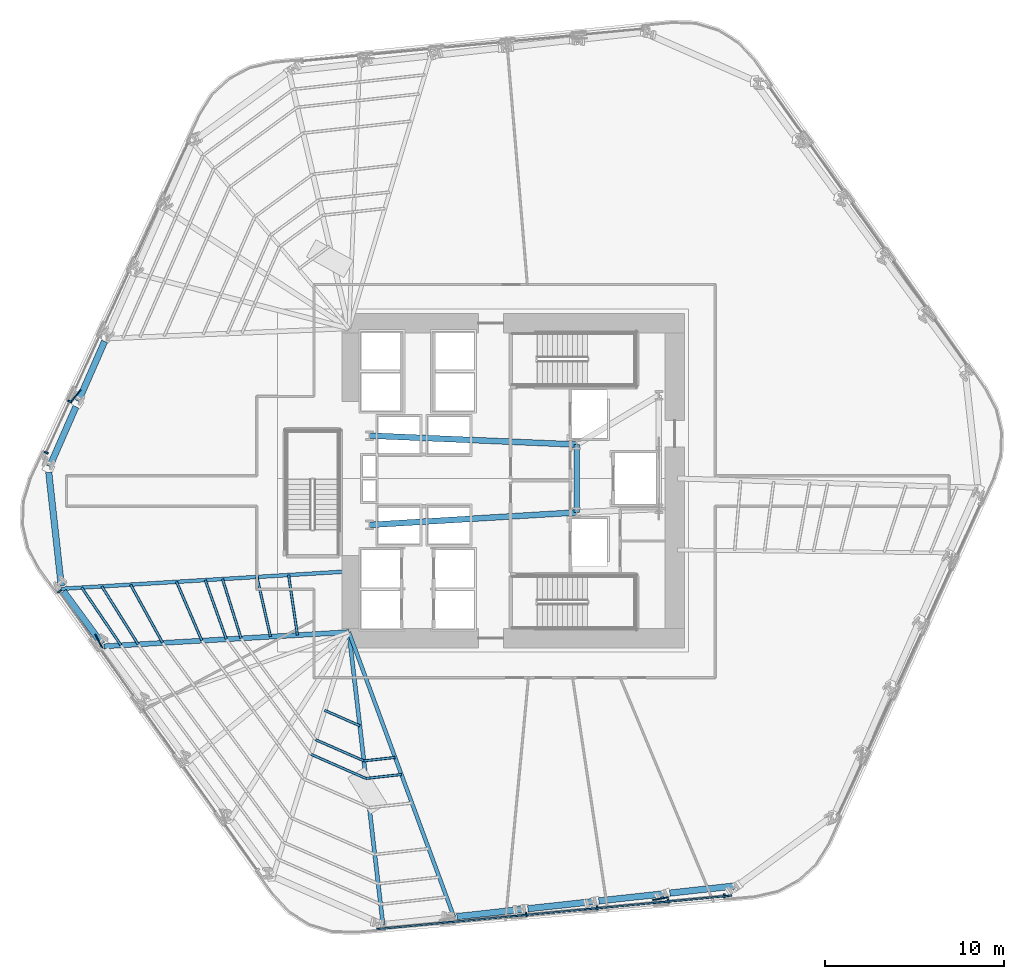
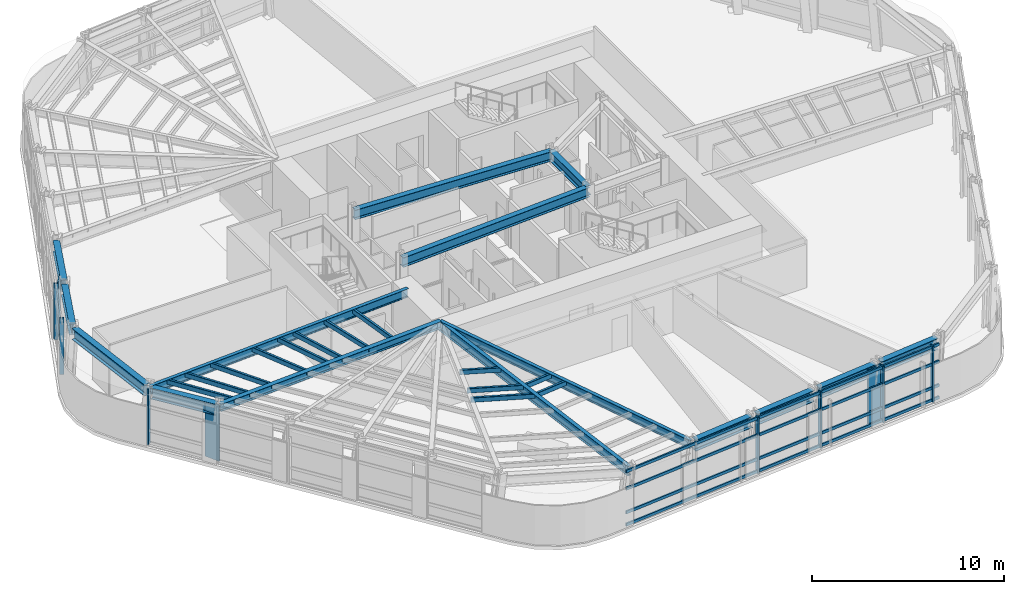
# One storey, part 3 of 16: 27 members, 15 beams, 3 elements without a shape of their own.
"""IFC4 building model written with IfcOpenShell, lengths in metres."""

import ifcopenshell
import ifcopenshell.guid

model = None  # the IFC model being written
_history = None  # IfcOwnerHistory: only IFC2X3 demands one
_inside = {}  # id of a spatial element -> (the spatial element, [elements in it])
_under = {}  # id of a project, library or spatial element -> (it, [spatial elements below it])
_declared = {}  # id of a project -> (the project, [libraries it declares])
_typed = {}  # id of a type object -> (the type object, [elements of that type])
_made_of = {}  # id of a material, layer set ... -> (it, [elements and type objects made of it])


def new_model(schema):
    """Start an empty IFC model of exactly this schema.

    Asked for "IFC4X3", IfcOpenShell would pick the latest addendum, in which some entities
    have other attributes; the version numbers below select the first issue.
    IFC2X3 requires an IfcOwnerHistory on every rooted entity: one is made here for all.
    """
    global model, _history
    if schema == "IFC4X3":
        model = ifcopenshell.file(schema_version=(4, 3, 0, 0))
    else:
        model = ifcopenshell.file(schema=schema)
    _inside.clear()
    _under.clear()
    _declared.clear()
    _typed.clear()
    _made_of.clear()
    _history = None
    if model.schema == "IFC2X3":
        org = make("IfcOrganization", Name="unknown")
        user = make(
            "IfcPersonAndOrganization",
            ThePerson=make("IfcPerson", FamilyName="unknown"),
            TheOrganization=org,
        )
        app = make(
            "IfcApplication",
            ApplicationDeveloper=org,
            Version="unknown",
            ApplicationFullName="unknown",
            ApplicationIdentifier="unknown",
        )
        _history = make(
            "IfcOwnerHistory",
            OwningUser=user,
            OwningApplication=app,
            ChangeAction="ADDED",
            CreationDate=0,
        )
    return model


def make(cls, **values):
    """One entity of the class cls with the attributes given. An attribute that is None is left unset."""
    return model.create_entity(
        cls, **{name: value for name, value in values.items() if value is not None}
    )


def rooted(cls, **values):
    """An entity with a GlobalId (a new one), such as an element, a storey or a relation."""
    return make(cls, GlobalId=ifcopenshell.guid.new(), OwnerHistory=_history, **values)


def si_unit(unit_type, name, prefix=None):
    """IfcSIUnit, for example si_unit("LENGTHUNIT", "METRE", prefix="MILLI")."""
    return make("IfcSIUnit", UnitType=unit_type, Prefix=prefix, Name=name)


def assignment(units):
    """IfcUnitAssignment: the units of a project."""
    return None if units is None else make("IfcUnitAssignment", Units=units)


def point(xyz):
    """IfcCartesianPoint."""
    return None if xyz is None else make("IfcCartesianPoint", Coordinates=xyz)


def direction(xyz):
    """IfcDirection."""
    return None if xyz is None else make("IfcDirection", DirectionRatios=xyz)


def frame(location, z_axis=None, x_axis=None):
    """IfcAxis2Placement3D, a coordinate frame: its origin and axes. An axis left out is left unset."""
    return make(
        "IfcAxis2Placement3D",
        Location=point(location),
        Axis=direction(z_axis),
        RefDirection=direction(x_axis),
    )


def frame_2d(location, x_axis=None):
    """IfcAxis2Placement2D, a coordinate frame in the plane: its origin and x axis."""
    return make(
        "IfcAxis2Placement2D", Location=point(location), RefDirection=direction(x_axis)
    )


def origin():
    """The frame at (0, 0, 0) with its axes left unset."""
    return frame((0.0, 0.0, 0.0))


def origin_2d():
    """The frame at (0, 0) in the plane with its x axis left unset."""
    return frame_2d((0.0, 0.0))


def place(relative_to, where):
    """IfcLocalPlacement: puts the frame where relative to a parent placement (None: the world)."""
    return make(
        "IfcLocalPlacement", PlacementRelTo=relative_to, RelativePlacement=where
    )


def context(
    kind, dimensions, precision=None, world=None, true_north=None, identifier=None
):
    """IfcGeometricRepresentationContext, for example the 3D "Model" context."""
    return make(
        "IfcGeometricRepresentationContext",
        ContextIdentifier=identifier,
        ContextType=kind,
        CoordinateSpaceDimension=dimensions,
        Precision=precision,
        WorldCoordinateSystem=world,
        TrueNorth=true_north,
    )


def subcontext(parent, identifier, kind, view, scale=None):
    """IfcGeometricRepresentationSubContext, for example "Body" below "Model"."""
    return make(
        "IfcGeometricRepresentationSubContext",
        ContextIdentifier=identifier,
        ContextType=kind,
        ParentContext=parent,
        TargetScale=scale,
        TargetView=view,
    )


def project(units=None, contexts=None):
    """IfcProject with its units and contexts."""
    return rooted(
        "IfcProject",
        Name="project",
        RepresentationContexts=contexts,
        UnitsInContext=assignment(units),
    )


def spatial(cls, under=None, at=None, **own):
    """A site, building, storey or space (cls), placed at a placement, below another one or the project."""
    s = rooted(cls, ObjectPlacement=at, **own)
    if under is not None:
        _under.setdefault(under.id(), (under, []))[1].append(s)
    return s


def profile(cls, at=None, kind="AREA", **sizes):
    """A parametric profile (cls). Its sizes go by their IFC names, for example OverallWidth=200.0."""
    return make(cls, ProfileType=kind, Position=at, **sizes)


def rectangle(**sizes):
    """IfcRectangleProfileDef."""
    return profile("IfcRectangleProfileDef", **sizes)


def hollow_rectangle(**sizes):
    """IfcRectangleHollowProfileDef."""
    return profile("IfcRectangleHollowProfileDef", **sizes)


def i_section(**sizes):
    """IfcIShapeProfileDef."""
    return profile("IfcIShapeProfileDef", **sizes)


def extrude(swept, where, along, depth):
    """IfcExtrudedAreaSolid: the profile swept, set in the frame where, extruded along a direction by depth."""
    return make(
        "IfcExtrudedAreaSolid",
        SweptArea=swept,
        Position=where,
        ExtrudedDirection=direction(along),
        Depth=depth,
    )


def shape(context_of_items, identifier, shape_type, items):
    """IfcShapeRepresentation: the items that make up one representation, for example the "Body"."""
    return make(
        "IfcShapeRepresentation",
        ContextOfItems=context_of_items,
        RepresentationIdentifier=identifier,
        RepresentationType=shape_type,
        Items=items,
    )


def material(Name=None, Category=None):
    """IfcMaterial."""
    return make("IfcMaterial", Name=Name, Category=Category)


def layer(
    of_material, thickness, ventilated=None, Name=None, Category=None, Priority=None
):
    """IfcMaterialLayer: one layer of a wall or slab, of a material (None: an air gap)."""
    return make(
        "IfcMaterialLayer",
        Material=of_material,
        LayerThickness=thickness,
        IsVentilated=ventilated,
        Name=Name,
        Category=Category,
        Priority=Priority,
    )


def layer_set(layers, Name=None):
    """IfcMaterialLayerSet."""
    return make("IfcMaterialLayerSet", MaterialLayers=layers, LayerSetName=Name)


def material_profile(
    of_material, cross_section, Name=None, Category=None, Priority=None
):
    """IfcMaterialProfile: a cross section and its material."""
    return make(
        "IfcMaterialProfile",
        Name=Name,
        Material=of_material,
        Profile=cross_section,
        Priority=Priority,
        Category=Category,
    )


def profile_set(profiles, Name=None, composite=None):
    """IfcMaterialProfileSet."""
    return make(
        "IfcMaterialProfileSet",
        Name=Name,
        MaterialProfiles=profiles,
        CompositeProfile=composite,
    )


def made_of(thing, what):
    """Note that an element or type object is made of a material, layer set ...; save() writes the relation."""
    if what is not None:
        _made_of.setdefault(what.id(), (what, []))[1].append(thing)
    return thing


def type_object(cls, material=None, **own):
    """A type object (cls), such as IfcWallType, which elements share."""
    return made_of(rooted(cls, **own), material)


def element(
    cls,
    number,
    at=None,
    inside=None,
    cuts=None,
    type_object=None,
    material=None,
    context=None,
    identifier="Body",
    shape_type=None,
    held_by="IfcProductDefinitionShape",
    body=None,
    shapes=None,
    **own,
):
    """One element of the class cls, such as IfcWall. Its Tag is "e" and its number.

    at: its placement. inside: the storey or other place that contains it. cuts: it is an
    opening in that element (IfcRelVoidsElement). A single representation is given by context,
    identifier, shape_type and body (its items); several are given by shapes. held_by: the class
    of the entity that holds the representations. save() writes the other relations.
    """
    e = rooted(cls, Tag="e%d" % number, ObjectPlacement=at, **own)
    if body is not None:
        shapes = [shape(context, identifier, shape_type, body)]
    if shapes is not None:
        e.Representation = make(held_by, Representations=shapes)
    if inside is not None:
        _inside.setdefault(inside.id(), (inside, []))[1].append(e)
    if cuts is not None:
        rooted(
            "IfcRelVoidsElement", RelatingBuildingElement=cuts, RelatedOpeningElement=e
        )
    if type_object is not None:
        _typed.setdefault(type_object.id(), (type_object, []))[1].append(e)
    return made_of(e, material)


def aggregate(whole, parts):
    """IfcRelAggregates: a whole, such as a stair, and the parts it consists of."""
    return rooted("IfcRelAggregates", RelatingObject=whole, RelatedObjects=parts)


def save(model, path):
    """Write the relations noted so far, then the file.

    IfcRelAggregates (storeys below a building ...), IfcRelContainedInSpatialStructure (elements
    in a storey), IfcRelDefinesByType, IfcRelAssociatesMaterial and IfcRelDeclares: one each for
    every whole, place, type object, material and project.
    """
    for whole, parts in _under.values():
        aggregate(whole, parts)
    for where, things in _inside.values():
        rooted(
            "IfcRelContainedInSpatialStructure",
            RelatedElements=things,
            RelatingStructure=where,
        )
    for kind, things in _typed.values():
        rooted("IfcRelDefinesByType", RelatedObjects=things, RelatingType=kind)
    for what, things in _made_of.values():
        rooted("IfcRelAssociatesMaterial", RelatedObjects=things, RelatingMaterial=what)
    for by, libraries in _declared.values():
        rooted("IfcRelDeclares", RelatingContext=by, RelatedDefinitions=libraries)
    model.write(path)


model = new_model("IFC4")

# Units and contexts
model_context = context("Model", 3, precision=1e-05, world=origin(), true_north=direction((0.0, 1.0)))
body_context = subcontext(model_context, "Body", "Model", "MODEL_VIEW")
ifc_project = project(units=[si_unit("LENGTHUNIT", "METRE"), si_unit("AREAUNIT", "SQUARE_METRE"), si_unit("VOLUMEUNIT", "CUBIC_METRE"), si_unit("PLANEANGLEUNIT", "RADIAN"), si_unit("MASSUNIT", "GRAM", prefix="KILO")], contexts=[model_context])

# Site, building, storey
site_placement = place(None, origin())
site = spatial("IfcSite", under=ifc_project, at=site_placement, CompositionType="ELEMENT")
building_placement = place(site_placement, origin())
building = spatial("IfcBuilding", under=site, at=building_placement, Name="Valkerne Bourse Tower", CompositionType="ELEMENT")
storey_placement = place(building_placement, frame((0.0, 0.0, 46.800048828125)))
storey = spatial("IfcBuildingStorey", under=building, at=storey_placement, Name="L11", CompositionType="ELEMENT", Elevation=46.800048828125)

# Beams
ifc_material_1 = material(Name="Steel ASTM A992", Category="steel")
ifc_material_profile_1 = material_profile(ifc_material_1, i_section(OverallWidth=0.279296875, OverallDepth=0.46240234375, WebThickness=0.0107421875, FlangeThickness=0.017333984375, FilletRadius=0.017822265625, at=origin_2d()), Name="W18X76")
ifc_profile_set_1 = profile_set([ifc_material_profile_1], Name="Steel ASTM A992")
beam_type_1 = type_object("IfcBeamType", Name="BM-W18X76", PredefinedType="BEAM", material=ifc_profile_set_1)
beam_1_placement = place(storey_placement, frame((23.88330078125, 17.603515625, 3.348876953125), z_axis=(0.998318811791, 0.057961625446, 0.0), x_axis=(-0.057961625446, 0.998318811791, 0.0)))
element("IfcBeam", 1, at=beam_1_placement, inside=storey, type_object=beam_type_1, Name="L11 Radial Composite Floor Beam 19", PredefinedType="BEAM", context=body_context, shape_type="SweptSolid", body=[
    extrude(i_section(OverallWidth=0.279296875, OverallDepth=0.46240234375, WebThickness=0.0107421875, FlangeThickness=0.017333984375, FilletRadius=0.017822265625, at=origin_2d()), origin(), (0.0, 0.0, 1.0), 13.739990234375),
])
ifc_material_profile_2 = material_profile(ifc_material_1, i_section(OverallWidth=0.209228515625, OverallDepth=0.533447265625, WebThickness=0.01025390625, FlangeThickness=0.015625, FilletRadius=0.017822265625, at=origin_2d()), Name="W21X62")
ifc_profile_set_2 = profile_set([ifc_material_profile_2], Name="Steel ASTM A992")
beam_type_2 = type_object("IfcBeamType", Name="BM-W21X62", PredefinedType="JOIST", material=ifc_profile_set_2)
beam_2_placement = place(storey_placement, frame((21.517578125, 20.82373046875, 3.313232421875), z_axis=(0.998162419472, 0.060595250258, 0.0), x_axis=(-0.060595250258, 0.998162419472, 0.0)))
element("IfcBeam", 2, at=beam_2_placement, inside=storey, type_object=beam_type_2, Name="L11 Radial Composite Floor Beam 18", PredefinedType="JOIST", context=body_context, shape_type="SweptSolid", body=[
    extrude(i_section(OverallWidth=0.209228515625, OverallDepth=0.533447265625, WebThickness=0.01025390625, FlangeThickness=0.015625, FilletRadius=0.017822265625, at=origin_2d()), origin(), (0.0, 0.0, 1.0), 16.112060546875),
])
ifc_material_profile_3 = material_profile(ifc_material_1, i_section(OverallWidth=0.2138671875, OverallDepth=0.548583984375, WebThickness=0.0146484375, FlangeThickness=0.023681640625, FilletRadius=0.017822265625, at=origin_2d()), Name="W21X93")
ifc_profile_set_3 = profile_set([ifc_material_profile_3], Name="Steel ASTM A992")
beam_type_3 = type_object("IfcBeamType", Name="BM-W21X93", PredefinedType="BEAM", material=ifc_profile_set_3)
beam_3_placement = place(storey_placement, frame((43.4794921875, 2.455078125, 3.3056640625), z_axis=(-0.345963654643, 0.938247914821, 0.0), x_axis=(-0.938247914821, -0.345963654643, 0.0)))
element("IfcBeam", 3, at=beam_3_placement, inside=storey, type_object=beam_type_3, Name="L11 Radial Composite Floor Beam 25", PredefinedType="BEAM", context=body_context, shape_type="SweptSolid", body=[
    extrude(i_section(OverallWidth=0.2138671875, OverallDepth=0.548583984375, WebThickness=0.0146484375, FlangeThickness=0.023681640625, FilletRadius=0.017822265625, at=origin_2d()), origin(), (0.0, 0.0, 1.0), 16.994140625),
])
ifc_material_profile_4 = material_profile(ifc_material_1, i_section(OverallWidth=0.3251953125, OverallDepth=0.612060546875, WebThickness=0.0126953125, FlangeThickness=0.01904296875, FilletRadius=0.020263671875, at=origin_2d()), Name="W24X104")
ifc_profile_set_4 = profile_set([ifc_material_profile_4], Name="Steel ASTM A992")
beam_type_4 = type_object("IfcBeamType", Name="BM-W24X104", PredefinedType="BEAM", material=ifc_profile_set_4)
beam_4_placement = place(storey_placement, frame((50.35009765625, 25.10009765625, 3.27392578125), z_axis=(0.0, 1.0, 0.0), x_axis=(-1.0, 0.0, 0.0)))
element("IfcBeam", 4, at=beam_4_placement, inside=storey, type_object=beam_type_4, Name="L11 Core Frame Girder CG-CE", PredefinedType="BEAM", context=body_context, shape_type="SweptSolid", body=[
    extrude(i_section(OverallWidth=0.3251953125, OverallDepth=0.612060546875, WebThickness=0.0126953125, FlangeThickness=0.01904296875, FilletRadius=0.020263671875, at=origin_2d()), origin(), (0.0, 0.0, 1.0), 3.7998046875),
])
beam_5_placement = place(storey_placement, frame((38.75, 24.39990234375, 3.27392578125), z_axis=(0.998183228389, 0.060251494276, 0.0), x_axis=(-0.060251494276, 0.998183228389, 0.0)))
element("IfcBeam", 5, at=beam_5_placement, inside=storey, type_object=beam_type_4, Name="L11 Core Frame Girder CG-SW", PredefinedType="BEAM", context=body_context, shape_type="SweptSolid", body=[
    extrude(i_section(OverallWidth=0.3251953125, OverallDepth=0.612060546875, WebThickness=0.0126953125, FlangeThickness=0.01904296875, FilletRadius=0.020263671875, at=origin_2d()), origin(), (0.0, 0.0, 1.0), 11.62109375),
])
beam_6_placement = place(storey_placement, frame((38.75, 29.39990234375, 3.27392578125), z_axis=(0.999072354402, -0.043063101019, 0.0), x_axis=(0.043063101019, 0.999072354402, 0.0)))
element("IfcBeam", 6, at=beam_6_placement, inside=storey, type_object=beam_type_4, Name="L11 Core Frame Girder CG-NW", PredefinedType="BEAM", context=body_context, shape_type="SweptSolid", body=[
    extrude(i_section(OverallWidth=0.3251953125, OverallDepth=0.612060546875, WebThickness=0.0126953125, FlangeThickness=0.01904296875, FilletRadius=0.020263671875, at=origin_2d()), origin(), (0.0, 0.0, 1.0), 11.61083984375),
])
ifc_material_profile_5 = material_profile(ifc_material_1, i_section(OverallWidth=0.228271484375, OverallDepth=0.607177734375, WebThickness=0.01123046875, FlangeThickness=0.017333984375, FilletRadius=0.017822265625, at=origin_2d()), Name="W24X76")
ifc_profile_set_5 = profile_set([ifc_material_profile_5], Name="Steel ASTM A992")
beam_type_5 = type_object("IfcBeamType", Name="BM-W24X76", PredefinedType="JOIST", material=ifc_profile_set_5)
beam_7_placement = place(storey_placement, frame((39.507568359375, 2.0166015625, 3.2763671875), z_axis=(-0.115646560792, 0.993290427306, 0.0), x_axis=(-0.993290427306, -0.115646560792, 0.0)))
element("IfcBeam", 7, at=beam_7_placement, inside=storey, type_object=beam_type_5, Name="L11 Radial Composite Floor Beam 24", PredefinedType="JOIST", context=body_context, shape_type="SweptSolid", body=[
    extrude(i_section(OverallWidth=0.228271484375, OverallDepth=0.607177734375, WebThickness=0.01123046875, FlangeThickness=0.017333984375, FilletRadius=0.017822265625, at=origin_2d()), origin(), (0.0, 0.0, 1.0), 16.493896484375),
])
ifc_material_profile_6 = material_profile(ifc_material_1, i_section(OverallWidth=0.358154296875, OverallDepth=0.7060546875, WebThickness=0.018310546875, FlangeThickness=0.0302734375, FilletRadius=0.02294921875, at=origin_2d()), Name="W27X178")
ifc_profile_set_6 = profile_set([ifc_material_profile_6], Name="Steel ASTM A992")
beam_type_6 = type_object("IfcBeamType", Name="BM-W27X178", PredefinedType="SPANDREL", material=ifc_profile_set_6)
beam_8_placement = place(storey_placement, frame((23.923095703125, 34.674560546875, 3.226806640625), z_axis=(-0.401939536276, -0.915666210569, 0.0), x_axis=(0.915666210569, -0.401939536276, 0.0)))
element("IfcBeam", 8, at=beam_8_placement, inside=storey, type_object=beam_type_6, Name="L11 Hexagonal Spandrel Ring Beam 15", PredefinedType="SPANDREL", context=body_context, shape_type="SweptSolid", body=[
    extrude(i_section(OverallWidth=0.358154296875, OverallDepth=0.7060546875, WebThickness=0.018310546875, FlangeThickness=0.0302734375, FilletRadius=0.02294921875, at=origin_2d()), origin(), (0.0, 0.0, 1.0), 3.656005859375),
])
beam_9_placement = place(storey_placement, frame((22.31689453125, 31.015380859375, 3.226806640625), z_axis=(-0.401964114941, -0.91565542116, 0.0), x_axis=(0.91565542116, -0.401964114941, 0.0)))
element("IfcBeam", 9, at=beam_9_placement, inside=storey, type_object=beam_type_6, Name="L11 Hexagonal Spandrel Ring Beam 16", PredefinedType="SPANDREL", context=body_context, shape_type="SweptSolid", body=[
    extrude(i_section(OverallWidth=0.358154296875, OverallDepth=0.7060546875, WebThickness=0.018310546875, FlangeThickness=0.0302734375, FilletRadius=0.02294921875, at=origin_2d()), origin(), (0.0, 0.0, 1.0), 3.65576171875),
])
beam_10_placement = place(storey_placement, frame((20.7978515625, 27.34326171875, 3.226806640625), z_axis=(0.109710106272, -0.993963627394, 0.0), x_axis=(0.993963627394, 0.109710106272, 0.0)))
element("IfcBeam", 10, at=beam_10_placement, inside=storey, type_object=beam_type_6, Name="L11 Hexagonal Spandrel Ring Beam 17", PredefinedType="SPANDREL", context=body_context, shape_type="SweptSolid", body=[
    extrude(i_section(OverallWidth=0.358154296875, OverallDepth=0.7060546875, WebThickness=0.018310546875, FlangeThickness=0.0302734375, FilletRadius=0.02294921875, at=origin_2d()), origin(), (0.0, 0.0, 1.0), 6.388916015625),
])
beam_11_placement = place(storey_placement, frame((21.6181640625, 20.686767578125, 3.226806640625), z_axis=(0.592064042626, -0.805890916582, 0.0), x_axis=(0.805890916582, 0.592064042626, 0.0)))
element("IfcBeam", 11, at=beam_11_placement, inside=storey, type_object=beam_type_6, Name="L11 Hexagonal Spandrel Ring Beam 18", PredefinedType="SPANDREL", context=body_context, shape_type="SweptSolid", body=[
    extrude(i_section(OverallWidth=0.358154296875, OverallDepth=0.7060546875, WebThickness=0.018310546875, FlangeThickness=0.0302734375, FilletRadius=0.02294921875, at=origin_2d()), origin(), (0.0, 0.0, 1.0), 3.656005859375),
])
beam_12_placement = place(storey_placement, frame((43.6484375, 2.473876953125, 3.226806640625), z_axis=(0.993962476945, 0.10972052873, 0.0), x_axis=(-0.10972052873, 0.993962476945, 0.0)))
element("IfcBeam", 12, at=beam_12_placement, inside=storey, type_object=beam_type_6, Name="L11 Hexagonal Spandrel Ring Beam 25", PredefinedType="SPANDREL", context=body_context, shape_type="SweptSolid", body=[
    extrude(i_section(OverallWidth=0.358154296875, OverallDepth=0.7060546875, WebThickness=0.018310546875, FlangeThickness=0.0302734375, FilletRadius=0.02294921875, at=origin_2d()), origin(), (0.0, 0.0, 1.0), 3.65576171875),
])
for number, where, z_axis, x_axis, name in (
    (13, (47.6201171875, 2.912353515625, 3.226806640625), (0.99396328081, 0.109713246246, 0.0), (-0.109713246246, 0.99396328081, 0.0), "L11 Hexagonal Spandrel Ring Beam 26"),
    (14, (51.592041015625, 3.350830078125, 3.226806640625), (0.99396328081, 0.109713246246, 0.0), (-0.109713246246, 0.99396328081, 0.0), "L11 Hexagonal Spandrel Ring Beam 27"),
):
    element("IfcBeam", number, at=place(storey_placement, frame(where, z_axis=z_axis, x_axis=x_axis)), inside=storey, type_object=beam_type_6, Name=name, PredefinedType="SPANDREL", context=body_context, shape_type="SweptSolid", body=[
        extrude(i_section(OverallWidth=0.358154296875, OverallDepth=0.7060546875, WebThickness=0.018310546875, FlangeThickness=0.0302734375, FilletRadius=0.02294921875, at=origin_2d()), origin(), (0.0, 0.0, 1.0), 3.656005859375),
    ])
beam_13_placement = place(storey_placement, frame((55.56396484375, 3.789306640625, 3.226806640625), z_axis=(0.993962476945, 0.10972052873, 0.0), x_axis=(-0.10972052873, 0.993962476945, 0.0)))
element("IfcBeam", 15, at=beam_13_placement, inside=storey, type_object=beam_type_6, Name="L11 Hexagonal Spandrel Ring Beam 28", PredefinedType="SPANDREL", context=body_context, shape_type="SweptSolid", body=[
    extrude(i_section(OverallWidth=0.358154296875, OverallDepth=0.7060546875, WebThickness=0.018310546875, FlangeThickness=0.0302734375, FilletRadius=0.02294921875, at=origin_2d()), origin(), (0.0, 0.0, 1.0), 3.65576171875),
])

# Curtain wall, members
ifc_material_2 = material(Name="Aluminium AA 6063-T6", Category="aluminium")
ifc_layer = layer(ifc_material_2, 0.22509765625)
ifc_layer_set = layer_set([ifc_layer], Name="Aluminium AA 6063-T6")
curtain_wall_type = type_object("IfcCurtainWallType", Name="CW-01", PredefinedType="NOTDEFINED", material=ifc_layer_set)
curtain_wall_1_placement = place(storey_placement, origin())
curtain_wall_1 = element("IfcCurtainWall", 16, at=curtain_wall_1_placement, inside=storey, type_object=curtain_wall_type, Name="L11 Hexagonal Stick Curtain Wall Face 3", PredefinedType="NOTDEFINED")
ifc_material_profile_7 = material_profile(ifc_material_2, rectangle(XDim=0.090087890625, YDim=0.239990234375, at=origin_2d()), Name="CWM-90X240")
ifc_profile_set_7 = profile_set([ifc_material_profile_7], Name="Aluminium AA 6063-T6")
member_type_1 = type_object("IfcMemberType", Name="CW-MUL-240X90", PredefinedType="MULLION", material=ifc_profile_set_7)
member_1_placement = place(storey_placement, frame((21.969970703125, 31.31396484375, 0.0), z_axis=(0.0, 0.0, 1.0), x_axis=(-0.416290181483, -0.909231810267, 0.0)))
member_1 = element("IfcMember", 17, at=member_1_placement, type_object=member_type_1, Name="CW-L11-F3 Jamb Mullion 04A", PredefinedType="MULLION", context=body_context, shape_type="SweptSolid", body=[
    extrude(rectangle(XDim=0.090087890625, YDim=0.239990234375, at=origin_2d()), origin(), (0.0, 0.0, 1.0), 3.579833984375),
])
member_2_placement = place(storey_placement, frame((20.656005859375, 28.4443359375, 0.0), z_axis=(0.0, 0.0, 1.0), x_axis=(-0.416290181483, -0.909231810267, 0.0)))
member_2 = element("IfcMember", 18, at=member_2_placement, type_object=member_type_1, Name="CW-L11-F3 Jamb Mullion 04B", PredefinedType="MULLION", context=body_context, shape_type="SweptSolid", body=[
    extrude(rectangle(XDim=0.090087890625, YDim=0.239990234375, at=origin_2d()), origin(), (0.0, 0.0, 1.0), 3.579833984375),
])
aggregate(curtain_wall_1, [member_1, member_2])

# Curtain wall, member
curtain_wall_2_placement = place(storey_placement, origin())
curtain_wall_2 = element("IfcCurtainWall", 19, at=curtain_wall_2_placement, inside=storey, type_object=curtain_wall_type, Name="L11 Hexagonal Stick Curtain Wall Face 4", PredefinedType="NOTDEFINED")
member_3_placement = place(storey_placement, frame((21.389892578125, 20.682373046875, 0.0), z_axis=(0.0, 0.0, 1.0), x_axis=(0.579285902215, -0.815124434363, 0.0)))
member_3 = element("IfcMember", 20, at=member_3_placement, type_object=member_type_1, Name="CW-L11-F4 Jamb Mullion 00A", PredefinedType="MULLION", context=body_context, shape_type="SweptSolid", body=[
    extrude(rectangle(XDim=0.090087890625, YDim=0.239990234375, at=origin_2d()), origin(), (0.0, 0.0, 1.0), 3.579833984375),
])
aggregate(curtain_wall_2, [member_3])

# Curtain wall, members
curtain_wall_3_placement = place(storey_placement, origin())
curtain_wall_3 = element("IfcCurtainWall", 21, at=curtain_wall_3_placement, inside=storey, type_object=curtain_wall_type, Name="L11 Hexagonal Stick Curtain Wall Face 5", PredefinedType="NOTDEFINED")
member_4_placement = place(storey_placement, frame((47.522705078125, 2.58740234375, 0.0), z_axis=(0.0, 0.0, 1.0), x_axis=(0.995561028378, 0.094118217018, 0.0)))
member_4 = element("IfcMember", 22, at=member_4_placement, type_object=member_type_1, Name="CW-L11-F5 Jamb Mullion 02A", PredefinedType="MULLION", context=body_context, shape_type="SweptSolid", body=[
    extrude(rectangle(XDim=0.090087890625, YDim=0.239990234375, at=origin_2d()), origin(), (0.0, 0.0, 1.0), 3.579833984375),
])
member_5_placement = place(storey_placement, frame((51.5009765625, 2.96337890625, 0.0), z_axis=(0.0, 0.0, 1.0), x_axis=(0.99556315134, 0.094095758107, 0.0)))
member_5 = element("IfcMember", 23, at=member_5_placement, type_object=member_type_1, Name="CW-L11-F5 Jamb Mullion 03A", PredefinedType="MULLION", context=body_context, shape_type="SweptSolid", body=[
    extrude(rectangle(XDim=0.090087890625, YDim=0.239990234375, at=origin_2d()), origin(), (0.0, 0.0, 1.0), 3.579833984375),
])
member_6_placement = place(storey_placement, frame((55.47900390625, 3.339599609375, 0.0), z_axis=(0.0, 0.0, 1.0), x_axis=(0.995561028378, 0.094118217018, 0.0)))
member_6 = element("IfcMember", 24, at=member_6_placement, type_object=member_type_1, Name="CW-L11-F5 Jamb Mullion 04A", PredefinedType="MULLION", context=body_context, shape_type="SweptSolid", body=[
    extrude(rectangle(XDim=0.090087890625, YDim=0.239990234375, at=origin_2d()), origin(), (0.0, 0.0, 1.0), 3.579833984375),
])
member_7_placement = place(storey_placement, frame((58.62109375, 3.63671875, 0.0), z_axis=(0.0, 0.0, 1.0), x_axis=(0.995561028378, 0.094118217018, 0.0)))
member_7 = element("IfcMember", 25, at=member_7_placement, type_object=member_type_1, Name="CW-L11-F5 Jamb Mullion 04B", PredefinedType="MULLION", context=body_context, shape_type="SweptSolid", body=[
    extrude(rectangle(XDim=0.090087890625, YDim=0.239990234375, at=origin_2d()), origin(), (0.0, 0.0, 1.0), 3.579833984375),
])
ifc_material_profile_8 = material_profile(ifc_material_2, rectangle(XDim=0.090087890625, YDim=0.179931640625, at=origin_2d()), Name="CWT-90X180")
ifc_profile_set_8 = profile_set([ifc_material_profile_8], Name="Aluminium AA 6063-T6")
member_type_2 = type_object("IfcMemberType", Name="CW-TRN-180X90", PredefinedType="USERDEFINED", material=ifc_profile_set_8)
member_8_placement = place(storey_placement, frame((39.14990234375, 1.77587890625, 0.119873046875), z_axis=(0.995561569681, 0.094112491067, 0.0), x_axis=(-0.094112491067, 0.995561569681, 0.0)))
member_8 = element("IfcMember", 26, at=member_8_placement, type_object=member_type_2, Name="CW-L11-F5 Continuous Face Transom 1", ObjectType="TRANSOM", PredefinedType="USERDEFINED", context=body_context, shape_type="SweptSolid", body=[
    extrude(rectangle(XDim=0.090087890625, YDim=0.179931640625, at=origin_2d()), origin(), (0.0, 0.0, 1.0), 19.97998046875),
])
member_9_placement = place(storey_placement, frame((39.14990234375, 1.77587890625, 0.89990234375), z_axis=(0.995561569681, 0.094112491067, 0.0), x_axis=(-0.094112491067, 0.995561569681, 0.0)))
member_9 = element("IfcMember", 27, at=member_9_placement, type_object=member_type_2, Name="CW-L11-F5 Continuous Face Transom 2", ObjectType="TRANSOM", PredefinedType="USERDEFINED", context=body_context, shape_type="SweptSolid", body=[
    extrude(rectangle(XDim=0.090087890625, YDim=0.179931640625, at=origin_2d()), origin(), (0.0, 0.0, 1.0), 19.97998046875),
])
member_10_placement = place(storey_placement, frame((39.14990234375, 1.77587890625, 2.39990234375), z_axis=(0.995561569681, 0.094112491067, 0.0), x_axis=(-0.094112491067, 0.995561569681, 0.0)))
member_10 = element("IfcMember", 28, at=member_10_placement, type_object=member_type_2, Name="CW-L11-F5 Continuous Face Transom 3", ObjectType="TRANSOM", PredefinedType="USERDEFINED", context=body_context, shape_type="SweptSolid", body=[
    extrude(rectangle(XDim=0.090087890625, YDim=0.179931640625, at=origin_2d()), origin(), (0.0, 0.0, 1.0), 19.97998046875),
])
member_11_placement = place(storey_placement, frame((39.14990234375, 1.77587890625, 3.5), z_axis=(0.995561569681, 0.094112491067, 0.0), x_axis=(-0.094112491067, 0.995561569681, 0.0)))
member_11 = element("IfcMember", 29, at=member_11_placement, type_object=member_type_2, Name="CW-L11-F5 Continuous Face Transom 4", ObjectType="TRANSOM", PredefinedType="USERDEFINED", context=body_context, shape_type="SweptSolid", body=[
    extrude(rectangle(XDim=0.090087890625, YDim=0.179931640625, at=origin_2d()), origin(), (0.0, 0.0, 1.0), 19.97998046875),
])
aggregate(curtain_wall_3, [member_8, member_9, member_10, member_11, member_4, member_5, member_6, member_7])

# Members
ifc_material_3 = material(Name="Bronze Anodised Aluminium AA 6063-T6", Category="aluminium")
ifc_material_profile_9 = material_profile(ifc_material_3, rectangle(XDim=0.070068359375, YDim=0.89990234375, at=origin_2d()), Name="FIN-70X900")
ifc_profile_set_9 = profile_set([ifc_material_profile_9], Name="Bronze Anodised Aluminium AA 6063-T6")
member_type_3 = type_object("IfcMemberType", Name="FIN-SOLAR-900", PredefinedType="USERDEFINED", material=ifc_profile_set_9)
for number, where, z_axis, x_axis, name in (
    (30, (22.308349609375, 31.620849609375, 0.00390625), (0.0, 0.0, 1.0), (-0.783032766182, 0.62198045555, 0.0), "L11 Bronze Anodised Solar Fin F3-04"),
    (31, (23.608154296875, 17.871826171875, 0.00390625), (0.0, 0.0, 1.0), (-0.892893269924, -0.450268373888, 0.0), "L11 Bronze Anodised Solar Fin F4-01"),
    (32, (55.044189453125, 3.479248046875, 0.00390625), (0.0, 0.0, 1.0), (0.18433781705, -0.98286294528, 0.0), "L11 Bronze Anodised Solar Fin F5-04"),
):
    element("IfcMember", number, at=place(storey_placement, frame(where, z_axis=z_axis, x_axis=x_axis)), inside=storey, type_object=member_type_3, Name=name, ObjectType="SOLAR_FIN", PredefinedType="USERDEFINED", context=body_context, shape_type="SweptSolid", body=[
        extrude(rectangle(XDim=0.070068359375, YDim=0.89990234375, at=origin_2d()), origin(), (0.0, 0.0, 1.0), 3.572021484375),
    ])
ifc_material_4 = material(Name="Steel ASTM A500 Grade C", Category="steel")
ifc_material_profile_10 = material_profile(ifc_material_4, hollow_rectangle(XDim=0.14990234375, YDim=0.300048828125, WallThickness=0.012451171875, OuterFilletRadius=0.02490234375, at=origin_2d()), Name="HSS300X150X12.5")
ifc_profile_set_10 = profile_set([ifc_material_profile_10], Name="Steel ASTM A500 Grade C")
member_type_4 = type_object("IfcMemberType", Name="MBR-HSS300X150X12.5", PredefinedType="PURLIN", material=ifc_profile_set_10)
member_12_placement = place(storey_placement, frame((32.45361328125, 21.487548828125, 3.419921875), z_axis=(0.220903642691, -0.975295637561, 0.0), x_axis=(0.975295637561, 0.220903642691, 0.0)))
element("IfcMember", 33, at=member_12_placement, inside=storey, type_object=member_type_4, Name="L11 Secondary Composite Floor Purlin I-18", PredefinedType="PURLIN", context=body_context, shape_type="SweptSolid", body=[
    extrude(hollow_rectangle(XDim=0.14990234375, YDim=0.300048828125, WallThickness=0.012451171875, OuterFilletRadius=0.02490234375, at=origin_2d()), origin(), (0.0, 0.0, 1.0), 3.42724609375),
])
member_13_placement = place(storey_placement, frame((36.23876953125, 14.022705078125, 3.419921875), z_axis=(0.915667440041, -0.401936735382, 0.0), x_axis=(0.401936735382, 0.915667440041, 0.0)))
element("IfcMember", 34, at=member_13_placement, inside=storey, type_object=member_type_4, Name="L11 Secondary Composite Floor Purlin I-23", PredefinedType="PURLIN", context=body_context, shape_type="SweptSolid", body=[
    extrude(hollow_rectangle(XDim=0.14990234375, YDim=0.300048828125, WallThickness=0.012451171875, OuterFilletRadius=0.02490234375, at=origin_2d()), origin(), (0.0, 0.0, 1.0), 2.1533203125),
])
member_14_placement = place(storey_placement, frame((30.523681640625, 21.37060546875, 3.419921875), z_axis=(0.299109661285, -0.954218743542, 0.0), x_axis=(0.954218743542, 0.299109661285, 0.0)))
element("IfcMember", 35, at=member_14_placement, inside=storey, type_object=member_type_4, Name="L11 Secondary Composite Floor Purlin K-18", PredefinedType="PURLIN", context=body_context, shape_type="SweptSolid", body=[
    extrude(hollow_rectangle(XDim=0.14990234375, YDim=0.300048828125, WallThickness=0.012451171875, OuterFilletRadius=0.02490234375, at=origin_2d()), origin(), (0.0, 0.0, 1.0), 3.48046875),
])
member_15_placement = place(storey_placement, frame((35.728271484375, 12.38134765625, 3.419921875), z_axis=(0.915672160057, -0.40192598236, 0.0), x_axis=(0.40192598236, 0.915672160057, 0.0)))
element("IfcMember", 36, at=member_15_placement, inside=storey, type_object=member_type_4, Name="L11 Secondary Composite Floor Purlin K-23", PredefinedType="PURLIN", context=body_context, shape_type="SweptSolid", body=[
    extrude(hollow_rectangle(XDim=0.14990234375, YDim=0.300048828125, WallThickness=0.012451171875, OuterFilletRadius=0.02490234375, at=origin_2d()), origin(), (0.0, 0.0, 1.0), 2.960693359375),
])
member_16_placement = place(storey_placement, frame((38.439208984375, 11.19140625, 3.419921875), z_axis=(0.993966420453, 0.109684798458, 0.0), x_axis=(-0.109684798458, 0.993966420453, 0.0)))
element("IfcMember", 37, at=member_16_placement, inside=storey, type_object=member_type_4, Name="L11 Secondary Composite Floor Purlin K-24", PredefinedType="PURLIN", context=body_context, shape_type="SweptSolid", body=[
    extrude(hollow_rectangle(XDim=0.14990234375, YDim=0.300048828125, WallThickness=0.012451171875, OuterFilletRadius=0.02490234375, at=origin_2d()), origin(), (0.0, 0.0, 1.0), 1.75830078125),
])
member_17_placement = place(storey_placement, frame((29.558837890625, 21.31201171875, 3.419921875), z_axis=(0.336490379012, -0.941686903823, 0.0), x_axis=(0.941686903823, 0.336490379012, 0.0)))
element("IfcMember", 38, at=member_17_placement, inside=storey, type_object=member_type_4, Name="L11 Secondary Composite Floor Purlin M-18", PredefinedType="PURLIN", context=body_context, shape_type="SweptSolid", body=[
    extrude(hollow_rectangle(XDim=0.14990234375, YDim=0.300048828125, WallThickness=0.012451171875, OuterFilletRadius=0.02490234375, at=origin_2d()), origin(), (0.0, 0.0, 1.0), 3.515380859375),
])
member_18_placement = place(storey_placement, frame((35.472900390625, 11.560791015625, 3.419921875), z_axis=(0.915645333025, -0.401987094457, 0.0), x_axis=(0.401987094457, 0.915645333025, 0.0)))
element("IfcMember", 39, at=member_18_placement, inside=storey, type_object=member_type_4, Name="L11 Secondary Composite Floor Purlin M-23", PredefinedType="PURLIN", context=body_context, shape_type="SweptSolid", body=[
    extrude(hollow_rectangle(XDim=0.14990234375, YDim=0.300048828125, WallThickness=0.012451171875, OuterFilletRadius=0.02490234375, at=origin_2d()), origin(), (0.0, 0.0, 1.0), 3.36474609375),
])
member_19_placement = place(storey_placement, frame((38.5537109375, 10.208251953125, 3.419921875), z_axis=(0.993962452773, 0.109720747706, 0.0), x_axis=(-0.109720747706, 0.993962452773, 0.0)))
element("IfcMember", 40, at=member_19_placement, inside=storey, type_object=member_type_4, Name="L11 Secondary Composite Floor Purlin M-24", PredefinedType="PURLIN", context=body_context, shape_type="SweptSolid", body=[
    extrude(hollow_rectangle(XDim=0.14990234375, YDim=0.300048828125, WallThickness=0.012451171875, OuterFilletRadius=0.02490234375, at=origin_2d()), origin(), (0.0, 0.0, 1.0), 1.998046875),
])
member_20_placement = place(storey_placement, frame((25.37744140625, 21.05810546875, 3.419921875), z_axis=(0.482529868575, -0.875879515649, 0.0), x_axis=(0.875879515649, 0.482529868575, 0.0)))
element("IfcMember", 41, at=member_20_placement, inside=storey, type_object=member_type_4, Name="L11 Secondary Composite Floor Purlin O-18", PredefinedType="PURLIN", context=body_context, shape_type="SweptSolid", body=[
    extrude(hollow_rectangle(XDim=0.14990234375, YDim=0.300048828125, WallThickness=0.012451171875, OuterFilletRadius=0.02490234375, at=origin_2d()), origin(), (0.0, 0.0, 1.0), 3.725830078125),
])
member_21_placement = place(storey_placement, frame((27.95068359375, 21.21435546875, 3.419921875), z_axis=(0.39585806187, -0.918311708982, 0.0), x_axis=(0.918311708982, 0.39585806187, 0.0)))
element("IfcMember", 42, at=member_21_placement, inside=storey, type_object=member_type_4, Name="L11 Secondary Composite Floor Purlin Z-18", PredefinedType="PURLIN", context=body_context, shape_type="SweptSolid", body=[
    extrude(hollow_rectangle(XDim=0.14990234375, YDim=0.300048828125, WallThickness=0.012451171875, OuterFilletRadius=0.02490234375, at=origin_2d()), origin(), (0.0, 0.0, 1.0), 3.585205078125),
])
member_22_placement = place(storey_placement, frame((34.22265625, 21.594970703125, 3.419921875), z_axis=(0.146176382182, -0.989258543199, 0.0), x_axis=(0.989258543199, 0.146176382182, 0.0)))
element("IfcMember", 43, at=member_22_placement, inside=storey, type_object=member_type_4, Name="L11 Secondary Composite Floor Purlin S-18", PredefinedType="PURLIN", context=body_context, shape_type="SweptSolid", body=[
    extrude(hollow_rectangle(XDim=0.14990234375, YDim=0.300048828125, WallThickness=0.012451171875, OuterFilletRadius=0.02490234375, at=origin_2d()), origin(), (0.0, 0.0, 1.0), 3.39892578125),
])
member_23_placement = place(storey_placement, frame((23.76904296875, 20.96044921875, 3.419921875), z_axis=(0.531155676487, -0.847274245646, 0.0), x_axis=(0.847274245646, 0.531155676487, 0.0)))
element("IfcMember", 44, at=member_23_placement, inside=storey, type_object=member_type_4, Name="L11 Secondary Composite Floor Purlin T-18", PredefinedType="PURLIN", context=body_context, shape_type="SweptSolid", body=[
    extrude(hollow_rectangle(XDim=0.14990234375, YDim=0.300048828125, WallThickness=0.012451171875, OuterFilletRadius=0.02490234375, at=origin_2d()), origin(), (0.0, 0.0, 1.0), 3.83056640625),
])
member_24_placement = place(storey_placement, frame((22.643310546875, 20.89208984375, 3.419921875), z_axis=(0.562627599025, -0.826710460086, 0.0), x_axis=(0.826710460086, 0.562627599025, 0.0)))
element("IfcMember", 45, at=member_24_placement, inside=storey, type_object=member_type_4, Name="L11 Secondary Composite Floor Purlin U-18", PredefinedType="PURLIN", context=body_context, shape_type="SweptSolid", body=[
    extrude(hollow_rectangle(XDim=0.14990234375, YDim=0.300048828125, WallThickness=0.012451171875, OuterFilletRadius=0.02490234375, at=origin_2d()), origin(), (0.0, 0.0, 1.0), 3.91064453125),
])

save(model, "model.ifc")
